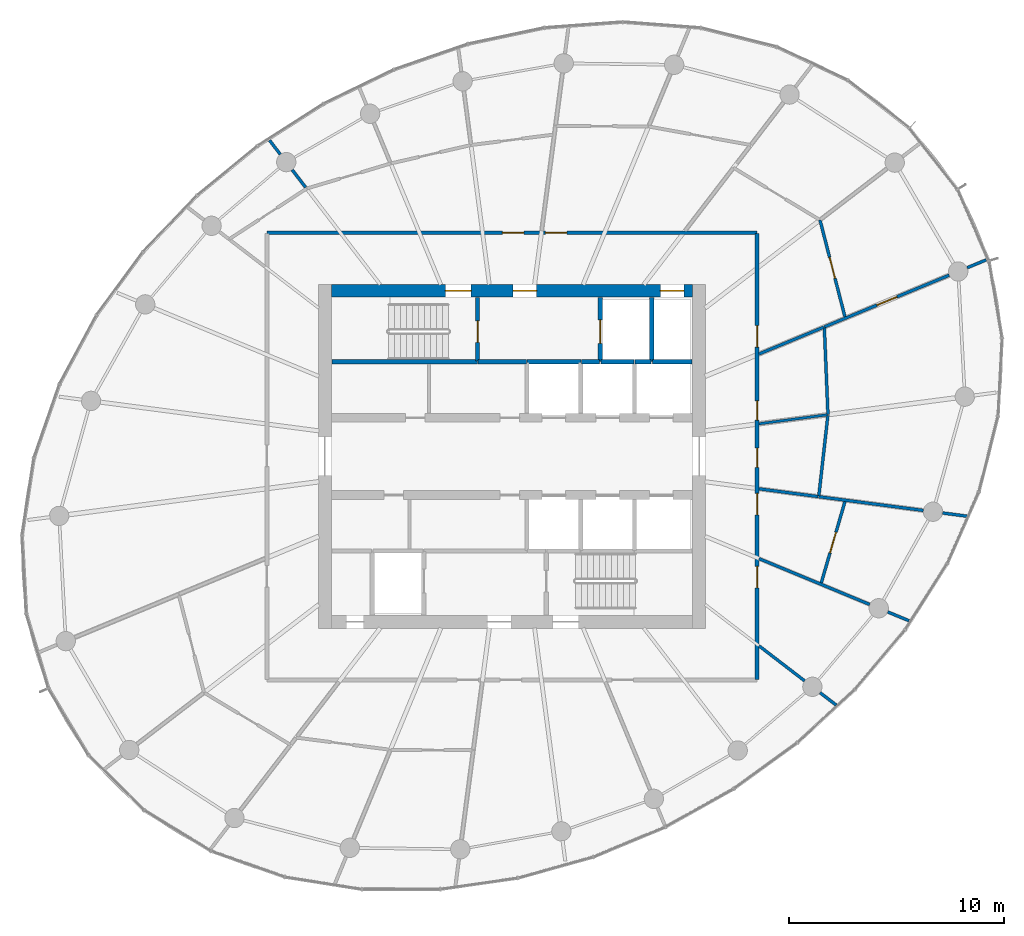
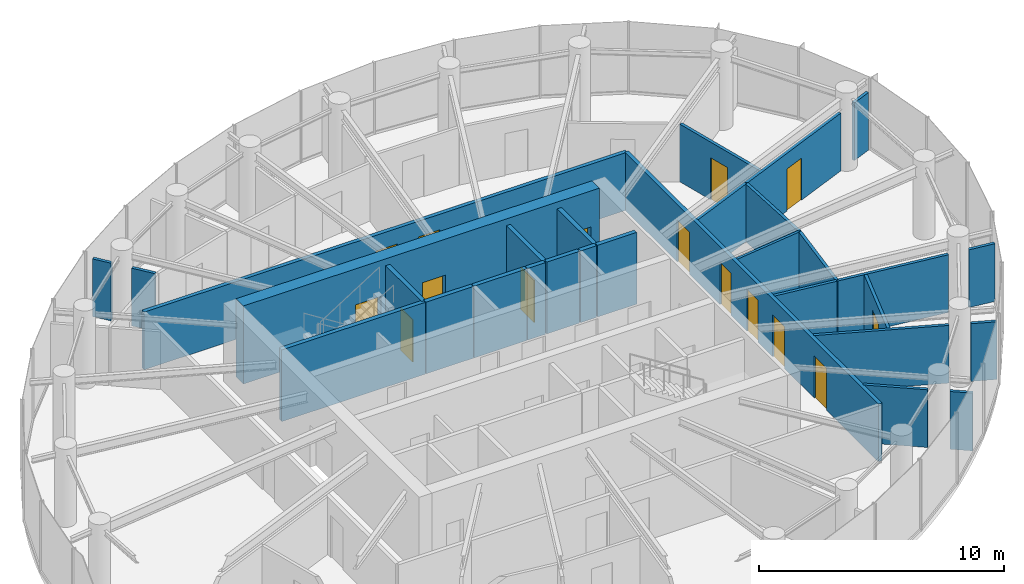
# One storey, part 11 of 14: 30 walls, 15 doors, 15 openings.
"""IFC4 building model written with IfcOpenShell, lengths in metres."""

from ifc_helpers import new_model, si_unit, direction, frame, frame_2d, origin, place, context, subcontext, project, spatial, rectangle, extrude, source, transform, mapped, material, layer, layer_set, type_object, element, fill, save


model = new_model("IFC4")

# Units and contexts
model_context = context("Model", 3, precision=1e-05, world=origin(), true_north=direction((0.0, 1.0)))
body_context = subcontext(model_context, "Body", "Model", "MODEL_VIEW")
ifc_project = project(units=[si_unit("LENGTHUNIT", "METRE"), si_unit("AREAUNIT", "SQUARE_METRE"), si_unit("VOLUMEUNIT", "CUBIC_METRE"), si_unit("PLANEANGLEUNIT", "RADIAN"), si_unit("MASSUNIT", "GRAM", prefix="KILO")], contexts=[model_context])

# Site, building, storey
site_placement = place(None, origin())
site = spatial("IfcSite", under=ifc_project, at=site_placement, CompositionType="ELEMENT")
building_placement = place(site_placement, origin())
building = spatial("IfcBuilding", under=site, at=building_placement, Name="Spindrift Exchange Tower", CompositionType="ELEMENT")
storey_placement = place(building_placement, frame((0.0, 0.0, 203.300048828125)))
storey = spatial("IfcBuildingStorey", under=building, at=storey_placement, Name="L49", CompositionType="ELEMENT", Elevation=203.300048828125)

# Wall, openings, doors
ifc_material_1 = material(Name="Concrete 50 MPa", Category="concrete")
ifc_layer_1 = layer(ifc_material_1, 0.60009765625)
ifc_layer_set_1 = layer_set([ifc_layer_1], Name="RC Core Wall 600 Concrete 50 MPa")
wall_type_1 = type_object("IfcWallType", Name="RC Core Wall 600 Concrete 50 MPa", PredefinedType="SHEAR", material=ifc_layer_set_1)
wall_1_placement = place(storey_placement, frame((60.39990234375, 55.699951171875, 0.0), z_axis=(0.0, 0.0, 1.0), x_axis=(-1.0, 0.0, 0.0)))
wall_1 = element("IfcWall", 1, at=wall_1_placement, inside=storey, type_object=wall_type_1, Name="Core wall N L49", PredefinedType="SHEAR", context=body_context, shape_type="SweptSolid", body=[
    extrude(rectangle(XDim=16.7998046875, YDim=0.60009765625, at=frame_2d((8.39990234375, 0.0))), origin(), (0.0, 0.0, 1.0), 3.89990234375),
])
opening_1_placement = place(wall_1_placement, frame((0.39990234375, 0.0, 0.0)))
opening_1 = element("IfcOpeningElement", 2, at=opening_1_placement, cuts=wall_1, Name="Opening L49-D11", PredefinedType="OPENING", context=body_context, shape_type="SweptSolid", body=[
    extrude(rectangle(XDim=1.10009765625, YDim=2.10009765625, at=frame_2d((0.550048828125, 1.050048828125))), frame((0.0, 0.31005859375, 0.0), z_axis=(0.0, -1.0, 0.0), x_axis=(1.0, 0.0, 0.0)), (0.0, 0.0, 1.0), 0.6201171875),
])
opening_2_placement = place(wall_1_placement, frame((10.300048828125, 0.0, 0.0)))
opening_2 = element("IfcOpeningElement", 3, at=opening_2_placement, cuts=wall_1, Name="Opening L49-D12", PredefinedType="OPENING", context=body_context, shape_type="SweptSolid", body=[
    extrude(rectangle(XDim=1.199951171875, YDim=2.10009765625, at=frame_2d((0.60009765625, 1.050048828125))), frame((0.0, 0.31005859375, 0.0), z_axis=(0.0, -1.0, 0.0), x_axis=(1.0, 0.0, 0.0)), (0.0, 0.0, 1.0), 0.6201171875),
])
opening_3_placement = place(wall_1_placement, frame((7.25, 0.0, 0.0)))
opening_3 = element("IfcOpeningElement", 4, at=opening_3_placement, cuts=wall_1, Name="Opening L49-D14", PredefinedType="OPENING", context=body_context, shape_type="SweptSolid", body=[
    extrude(rectangle(XDim=1.10009765625, YDim=2.10009765625, at=frame_2d((0.550048828125, 1.050048828125))), frame((0.0, 0.31005859375, 0.0), z_axis=(0.0, -1.0, 0.0), x_axis=(1.0, 0.0, 0.0)), (0.0, 0.0, 1.0), 0.6201171875),
])
ifc_material_2 = material(Name="Stainless steel landing door", Category="steel")
door_type_1 = type_object("IfcDoorType", Name="DR-LANDING-1100-SL", OperationType="DOUBLE_DOOR_SLIDING", PredefinedType="USERDEFINED", material=ifc_material_2)
shared_shape_1 = source(origin(), body_context, "Body", "SweptSolid", [
    extrude(rectangle(XDim=1.10009765625, YDim=2.10009765625, at=frame_2d((0.550048828125, 1.050048828125))), frame((0.0, 0.02490234375, 0.0), z_axis=(0.0, -1.0, 0.0), x_axis=(1.0, 0.0, 0.0)), (0.0, 0.0, 1.0), 0.050048828125),
])
door_1_placement = place(opening_1_placement, origin())
door_1 = element("IfcDoor", 5, at=door_1_placement, inside=storey, type_object=door_type_1, Name="L49 Lift landing door 11", ObjectType="LANDING DOOR", OperationType="DOUBLE_DOOR_SLIDING", OverallHeight=2.10009765625, OverallWidth=1.10009765625, PredefinedType="USERDEFINED", context=body_context, shape_type="MappedRepresentation", body=[
    mapped(shared_shape_1, transform((0.0, 0.0, 0.0), scale=1.0)),
])
fill(opening_1, door_1)
ifc_material_3 = material(Name="Steel fire door", Category="steel")
door_type_2 = type_object("IfcDoorType", Name="DR-STAIR-1200", OperationType="NOTDEFINED", PredefinedType="DOOR", material=ifc_material_3)
shared_shape_2 = source(origin(), body_context, "Body", "SweptSolid", [
    extrude(rectangle(XDim=1.199951171875, YDim=2.10009765625, at=frame_2d((0.60009765625, 1.050048828125))), frame((0.0, 0.02490234375, 0.0), z_axis=(0.0, -1.0, 0.0), x_axis=(1.0, 0.0, 0.0)), (0.0, 0.0, 1.0), 0.050048828125),
])
door_2_placement = place(opening_2_placement, origin())
door_2 = element("IfcDoor", 6, at=door_2_placement, inside=storey, type_object=door_type_2, Name="L49 Stair door 12", OperationType="SINGLE_SWING_RIGHT", OverallHeight=2.10009765625, OverallWidth=1.199951171875, PredefinedType="DOOR", context=body_context, shape_type="MappedRepresentation", body=[
    mapped(shared_shape_2, transform((0.0, 0.0, 0.0), scale=1.0)),
])
fill(opening_2, door_2)
ifc_material_4 = material(Name="Timber-core fire door", Category="wood")
door_type_3 = type_object("IfcDoorType", Name="DR-LOBBY-1100", OperationType="NOTDEFINED", PredefinedType="DOOR", material=ifc_material_4)
shared_shape_3 = source(origin(), body_context, "Body", "SweptSolid", [
    extrude(rectangle(XDim=1.10009765625, YDim=2.10009765625, at=frame_2d((0.550048828125, 1.050048828125))), frame((0.0, 0.02490234375, 0.0), z_axis=(0.0, -1.0, 0.0), x_axis=(1.0, 0.0, 0.0)), (0.0, 0.0, 1.0), 0.050048828125),
])
door_3_placement = place(opening_3_placement, origin())
door_3 = element("IfcDoor", 7, at=door_3_placement, inside=storey, type_object=door_type_3, Name="L49 Lobby door 14", OperationType="SINGLE_SWING_RIGHT", OverallHeight=2.10009765625, OverallWidth=1.10009765625, PredefinedType="DOOR", context=body_context, shape_type="MappedRepresentation", body=[
    mapped(shared_shape_3, transform((0.0, 0.0, 0.0), scale=1.0)),
])
fill(opening_3, door_3)

ifc_material_5 = material(Name="Fire-rated plasterboard partition", Category="gypsum")
ifc_layer_2 = layer(ifc_material_5, 0.179931640625)
ifc_layer_set_2 = layer_set([ifc_layer_2], Name="W-CORR-180")
wall_type_2 = type_object("IfcWallType", Name="W-CORR-180", PredefinedType="PARTITIONING", material=ifc_layer_set_2)
wall_2_placement = place(storey_placement, frame((40.60009765625, 58.39990234375, 0.0), z_axis=(0.0, 0.0, 1.0), x_axis=(1.0, 0.0, 0.0)))
wall_2 = element("IfcWall", 8, at=wall_2_placement, inside=storey, type_object=wall_type_2, Name="L49 Partition wall 27", PredefinedType="PARTITIONING", context=body_context, shape_type="SweptSolid", body=[
    extrude(rectangle(XDim=22.7998046875, YDim=0.179931640625, at=frame_2d((11.39990234375, 0.0))), origin(), (0.0, 0.0, 1.0), 2.8798828125),
])
opening_4_placement = place(wall_2_placement, frame((12.949951171875, 0.0, 0.0)))
opening_4 = element("IfcOpeningElement", 9, at=opening_4_placement, cuts=wall_2, Name="Opening L49-D25", PredefinedType="OPENING", context=body_context, shape_type="SweptSolid", body=[
    extrude(rectangle(XDim=1.0, YDim=2.10009765625, at=frame_2d((0.5, 1.050048828125))), frame((0.0, 0.099853515625, 0.0), z_axis=(0.0, -1.0, 0.0), x_axis=(1.0, 0.0, 0.0)), (0.0, 0.0, 1.0), 0.199951171875),
])
opening_5_placement = place(wall_2_placement, frame((10.949951171875, 0.0, 0.0)))
opening_5 = element("IfcOpeningElement", 10, at=opening_5_placement, cuts=wall_2, Name="Opening L49-D28", PredefinedType="OPENING", context=body_context, shape_type="SweptSolid", body=[
    extrude(rectangle(XDim=1.0, YDim=2.10009765625, at=frame_2d((0.5, 1.050048828125))), frame((0.0, 0.099853515625, 0.0), z_axis=(0.0, -1.0, 0.0), x_axis=(1.0, 0.0, 0.0)), (0.0, 0.0, 1.0), 0.199951171875),
])
door_type_4 = type_object("IfcDoorType", Name="DR-ROOM-1000", OperationType="NOTDEFINED", PredefinedType="DOOR", material=ifc_material_4)
shared_shape_4 = source(origin(), body_context, "Body", "SweptSolid", [
    extrude(rectangle(XDim=1.0, YDim=2.10009765625, at=frame_2d((0.5, 1.050048828125))), frame((0.0, 0.02490234375, 0.0), z_axis=(0.0, -1.0, 0.0), x_axis=(1.0, 0.0, 0.0)), (0.0, 0.0, 1.0), 0.050048828125),
])
door_4_placement = place(opening_4_placement, origin())
door_4 = element("IfcDoor", 11, at=door_4_placement, inside=storey, type_object=door_type_4, Name="L49 Door 25", OperationType="SINGLE_SWING_LEFT", OverallHeight=2.10009765625, OverallWidth=1.0, PredefinedType="DOOR", context=body_context, shape_type="MappedRepresentation", body=[
    mapped(shared_shape_4, transform((0.0, 0.0, 0.0), scale=1.0)),
])
fill(opening_4, door_4)
door_5_placement = place(opening_5_placement, origin())
door_5 = element("IfcDoor", 12, at=door_5_placement, inside=storey, type_object=door_type_4, Name="L49 Door 28", OperationType="SINGLE_SWING_RIGHT", OverallHeight=2.10009765625, OverallWidth=1.0, PredefinedType="DOOR", context=body_context, shape_type="MappedRepresentation", body=[
    mapped(shared_shape_4, transform((0.0, 0.0, 0.0), scale=1.0)),
])
fill(opening_5, door_5)

wall_3_placement = place(storey_placement, frame((63.39990234375, 58.3701171875, 0.0), z_axis=(0.0, 0.0, 1.0), x_axis=(0.0, -1.0, 0.0)))
wall_3 = element("IfcWall", 13, at=wall_3_placement, inside=storey, type_object=wall_type_2, Name="L49 Partition wall 29", PredefinedType="PARTITIONING", context=body_context, shape_type="SweptSolid", body=[
    extrude(rectangle(XDim=20.740234375, YDim=0.179931640625, at=frame_2d((10.3701171875, 0.0))), origin(), (0.0, 0.0, 1.0), 2.8798828125),
])
opening_6_placement = place(wall_3_placement, frame((9.989990234375, 0.0, 0.0)))
opening_6 = element("IfcOpeningElement", 14, at=opening_6_placement, cuts=wall_3, Name="Opening L49-D19", PredefinedType="OPENING", context=body_context, shape_type="SweptSolid", body=[
    extrude(rectangle(XDim=0.89990234375, YDim=2.10009765625, at=frame_2d((0.449951171875, 1.050048828125))), frame((0.0, 0.099853515625, 0.0), z_axis=(0.0, -1.0, 0.0), x_axis=(1.0, 0.0, 0.0)), (0.0, 0.0, 1.0), 0.199951171875),
])
opening_7_placement = place(wall_3_placement, frame((7.7900390625, 0.0, 0.0)))
opening_7 = element("IfcOpeningElement", 15, at=opening_7_placement, cuts=wall_3, Name="Opening L49-D20", PredefinedType="OPENING", context=body_context, shape_type="SweptSolid", body=[
    extrude(rectangle(XDim=0.89990234375, YDim=2.10009765625, at=frame_2d((0.449951171875, 1.050048828125))), frame((0.0, 0.099853515625, 0.0), z_axis=(0.0, -1.0, 0.0), x_axis=(1.0, 0.0, 0.0)), (0.0, 0.0, 1.0), 0.199951171875),
])
opening_8_placement = place(wall_3_placement, frame((4.2900390625, 0.0, 0.0)))
opening_8 = element("IfcOpeningElement", 16, at=opening_8_placement, cuts=wall_3, Name="Opening L49-D21", PredefinedType="OPENING", context=body_context, shape_type="SweptSolid", body=[
    extrude(rectangle(XDim=1.0, YDim=2.10009765625, at=frame_2d((0.5, 1.050048828125))), frame((0.0, 0.099853515625, 0.0), z_axis=(0.0, -1.0, 0.0), x_axis=(1.0, 0.0, 0.0)), (0.0, 0.0, 1.0), 0.199951171875),
])
opening_9_placement = place(wall_3_placement, frame((15.489990234375, 0.0, 0.0)))
opening_9 = element("IfcOpeningElement", 17, at=opening_9_placement, cuts=wall_3, Name="Opening L49-D42", PredefinedType="OPENING", context=body_context, shape_type="SweptSolid", body=[
    extrude(rectangle(XDim=1.0, YDim=2.10009765625, at=frame_2d((0.5, 1.050048828125))), frame((0.0, 0.099853515625, 0.0), z_axis=(0.0, -1.0, 0.0), x_axis=(1.0, 0.0, 0.0)), (0.0, 0.0, 1.0), 0.199951171875),
])
opening_10_placement = place(wall_3_placement, frame((12.090087890625, 0.0, 0.0)))
opening_10 = element("IfcOpeningElement", 18, at=opening_10_placement, cuts=wall_3, Name="Opening L49-D43", PredefinedType="OPENING", context=body_context, shape_type="SweptSolid", body=[
    extrude(rectangle(XDim=1.0, YDim=2.10009765625, at=frame_2d((0.5, 1.050048828125))), frame((0.0, 0.099853515625, 0.0), z_axis=(0.0, -1.0, 0.0), x_axis=(1.0, 0.0, 0.0)), (0.0, 0.0, 1.0), 0.199951171875),
])
door_6_placement = place(opening_8_placement, origin())
door_6 = element("IfcDoor", 19, at=door_6_placement, inside=storey, type_object=door_type_4, Name="L49 Door 21", OperationType="SINGLE_SWING_LEFT", OverallHeight=2.10009765625, OverallWidth=1.0, PredefinedType="DOOR", context=body_context, shape_type="MappedRepresentation", body=[
    mapped(shared_shape_4, transform((0.0, 0.0, 0.0), scale=1.0)),
])
fill(opening_8, door_6)
door_7_placement = place(opening_9_placement, origin())
door_7 = element("IfcDoor", 20, at=door_7_placement, inside=storey, type_object=door_type_4, Name="L49 Door 42", OperationType="SINGLE_SWING_RIGHT", OverallHeight=2.10009765625, OverallWidth=1.0, PredefinedType="DOOR", context=body_context, shape_type="MappedRepresentation", body=[
    mapped(shared_shape_4, transform((0.0, 0.0, 0.0), scale=1.0)),
])
fill(opening_9, door_7)
door_8_placement = place(opening_10_placement, origin())
door_8 = element("IfcDoor", 21, at=door_8_placement, inside=storey, type_object=door_type_4, Name="L49 Door 43", OperationType="SINGLE_SWING_LEFT", OverallHeight=2.10009765625, OverallWidth=1.0, PredefinedType="DOOR", context=body_context, shape_type="MappedRepresentation", body=[
    mapped(shared_shape_4, transform((0.0, 0.0, 0.0), scale=1.0)),
])
fill(opening_10, door_8)
ifc_material_6 = material(Name="Laminate washroom door", Category="wood")
door_type_5 = type_object("IfcDoorType", Name="DR-WC-900", OperationType="NOTDEFINED", PredefinedType="DOOR", material=ifc_material_6)
shared_shape_5 = source(origin(), body_context, "Body", "SweptSolid", [
    extrude(rectangle(XDim=0.89990234375, YDim=2.10009765625, at=frame_2d((0.449951171875, 1.050048828125))), frame((0.0, 0.02490234375, 0.0), z_axis=(0.0, -1.0, 0.0), x_axis=(1.0, 0.0, 0.0)), (0.0, 0.0, 1.0), 0.050048828125),
])
door_9_placement = place(opening_6_placement, origin())
door_9 = element("IfcDoor", 22, at=door_9_placement, inside=storey, type_object=door_type_5, Name="L49 WC door 19", OperationType="SINGLE_SWING_LEFT", OverallHeight=2.10009765625, OverallWidth=0.89990234375, PredefinedType="DOOR", context=body_context, shape_type="MappedRepresentation", body=[
    mapped(shared_shape_5, transform((0.0, 0.0, 0.0), scale=1.0)),
])
fill(opening_6, door_9)
door_10_placement = place(opening_7_placement, origin())
door_10 = element("IfcDoor", 23, at=door_10_placement, inside=storey, type_object=door_type_5, Name="L49 WC door 20", OperationType="SINGLE_SWING_RIGHT", OverallHeight=2.10009765625, OverallWidth=0.89990234375, PredefinedType="DOOR", context=body_context, shape_type="MappedRepresentation", body=[
    mapped(shared_shape_5, transform((0.0, 0.0, 0.0), scale=1.0)),
])
fill(opening_7, door_10)

# Wall, opening, door
ifc_layer_3 = layer(ifc_material_5, 0.139892578125)
ifc_layer_set_3 = layer_set([ifc_layer_3], Name="W-PART-140")
wall_type_3 = type_object("IfcWallType", Name="W-PART-140", PredefinedType="PARTITIONING", material=ifc_layer_set_3)
wall_4_placement = place(storey_placement, frame((72.332763671875, 56.422119140625, 0.0), z_axis=(0.0, 0.0, 1.0), x_axis=(-0.92388853292, -0.382661702733, 0.0)))
wall_4 = element("IfcWall", 24, at=wall_4_placement, inside=storey, type_object=wall_type_3, Name="L49 Partition wall 31", PredefinedType="PARTITIONING", context=body_context, shape_type="SweptSolid", body=[
    extrude(rectangle(XDim=6.284912109375, YDim=0.139892578125, at=frame_2d((3.142578125, 0.0))), origin(), (0.0, 0.0, 1.0), 2.8798828125),
])
opening_11_placement = place(wall_4_placement, frame((2.635009765625, 0.0, 0.0)))
opening_11 = element("IfcOpeningElement", 25, at=opening_11_placement, cuts=wall_4, Name="Opening L49-D24", PredefinedType="OPENING", context=body_context, shape_type="SweptSolid", body=[
    extrude(rectangle(XDim=1.0, YDim=2.10009765625, at=frame_2d((0.5, 1.050048828125))), frame((0.0, 0.079833984375, 0.0), z_axis=(0.0, -1.0, 0.0), x_axis=(1.0, 0.0, 0.0)), (0.0, 0.0, 1.0), 0.159912109375),
])
door_11_placement = place(opening_11_placement, origin())
door_11 = element("IfcDoor", 26, at=door_11_placement, inside=storey, type_object=door_type_4, Name="L49 Door 24", OperationType="SINGLE_SWING_RIGHT", OverallHeight=2.10009765625, OverallWidth=1.0, PredefinedType="DOOR", context=body_context, shape_type="MappedRepresentation", body=[
    mapped(shared_shape_4, transform((0.0, 0.0, 0.0), scale=1.0)),
])
fill(opening_11, door_11)

# Walls
wall_5_placement = place(storey_placement, frame((68.638916015625, 41.10791015625, 0.0), z_axis=(0.0, 0.0, 1.0), x_axis=(-0.9238758778, 0.382692255499, 0.0)))
element("IfcWall", 27, at=wall_5_placement, inside=storey, type_object=wall_type_3, Name="L49 Partition wall 32", PredefinedType="PARTITIONING", context=body_context, shape_type="SweptSolid", body=[
    extrude(rectangle(XDim=5.5732421875, YDim=0.139892578125, at=frame_2d((2.78662109375, 0.0))), origin(), (0.0, 0.0, 1.0), 2.8798828125),
])
wall_6_placement = place(storey_placement, frame((66.26708984375, 46.12158203125, 0.0), z_axis=(0.0, 0.0, 1.0), x_axis=(0.991448195842, -0.130500861923, 0.0)))
element("IfcWall", 28, at=wall_6_placement, inside=storey, type_object=wall_type_3, Name="L49 Partition wall 36", PredefinedType="PARTITIONING", context=body_context, shape_type="SweptSolid", body=[
    extrude(rectangle(XDim=4.9052734375, YDim=0.139892578125, at=frame_2d((2.45263671875, 0.0))), origin(), (0.0, 0.0, 1.0), 2.8798828125),
])

# Wall, opening, door
wall_7_placement = place(storey_placement, frame((66.32421875, 58.991455078125, 0.0), z_axis=(0.0, 0.0, 1.0), x_axis=(0.249819251726, -0.968292487561, 0.0)))
wall_7 = element("IfcWall", 29, at=wall_7_placement, inside=storey, type_object=wall_type_3, Name="L49 Partition wall 39", PredefinedType="PARTITIONING", context=body_context, shape_type="SweptSolid", body=[
    extrude(rectangle(XDim=4.64892578125, YDim=0.139892578125, at=frame_2d((2.324462890625, 0.0))), origin(), (0.0, 0.0, 1.0), 2.8798828125),
])
opening_12_placement = place(wall_7_placement, frame((1.798583984375, 0.0, 0.0)))
opening_12 = element("IfcOpeningElement", 30, at=opening_12_placement, cuts=wall_7, Name="Opening L49-D22", PredefinedType="OPENING", context=body_context, shape_type="SweptSolid", body=[
    extrude(rectangle(XDim=1.0, YDim=2.10009765625, at=frame_2d((0.5, 1.050048828125))), frame((0.0, 0.079833984375, 0.0), z_axis=(0.0, -1.0, 0.0), x_axis=(1.0, 0.0, 0.0)), (0.0, 0.0, 1.0), 0.159912109375),
])
door_12_placement = place(opening_12_placement, origin())
door_12 = element("IfcDoor", 31, at=door_12_placement, inside=storey, type_object=door_type_4, Name="L49 Door 22", OperationType="SINGLE_SWING_RIGHT", OverallHeight=2.10009765625, OverallWidth=1.0, PredefinedType="DOOR", context=body_context, shape_type="MappedRepresentation", body=[
    mapped(shared_shape_4, transform((0.0, 0.0, 0.0), scale=1.0)),
])
fill(opening_12, door_12)

# Wall
wall_8_placement = place(storey_placement, frame((66.696044921875, 49.934814453125, 0.0), z_axis=(0.0, 0.0, 1.0), x_axis=(-0.041535399008, 0.999137032959, 0.0)))
element("IfcWall", 32, at=wall_8_placement, inside=storey, type_object=wall_type_3, Name="L49 Partition wall 48", PredefinedType="PARTITIONING", context=body_context, shape_type="SweptSolid", body=[
    extrude(rectangle(XDim=4.0556640625, YDim=0.139892578125, at=frame_2d((2.02783203125, 0.0))), origin(), (0.0, 0.0, 1.0), 2.8798828125),
])

# Wall, opening, door
wall_9_placement = place(storey_placement, frame((67.484375, 45.890869140625, 0.0), z_axis=(0.0, 0.0, 1.0), x_axis=(-0.279262901939, -0.960214679955, 0.0)))
wall_9 = element("IfcWall", 33, at=wall_9_placement, inside=storey, type_object=wall_type_3, Name="L49 Partition wall 50", PredefinedType="PARTITIONING", context=body_context, shape_type="SweptSolid", body=[
    extrude(rectangle(XDim=3.9306640625, YDim=0.139892578125, at=frame_2d((1.96533203125, 0.0))), origin(), (0.0, 0.0, 1.0), 2.8798828125),
])
opening_13_placement = place(wall_9_placement, frame((1.480712890625, 0.0, 0.0)))
opening_13 = element("IfcOpeningElement", 34, at=opening_13_placement, cuts=wall_9, Name="Opening L49-D44", PredefinedType="OPENING", context=body_context, shape_type="SweptSolid", body=[
    extrude(rectangle(XDim=1.0, YDim=2.10009765625, at=frame_2d((0.5, 1.050048828125))), frame((0.0, 0.079833984375, 0.0), z_axis=(0.0, -1.0, 0.0), x_axis=(1.0, 0.0, 0.0)), (0.0, 0.0, 1.0), 0.159912109375),
])
door_13_placement = place(opening_13_placement, origin())
door_13 = element("IfcDoor", 35, at=door_13_placement, inside=storey, type_object=door_type_4, Name="L49 Door 44", OperationType="SINGLE_SWING_RIGHT", OverallHeight=2.10009765625, OverallWidth=1.0, PredefinedType="DOOR", context=body_context, shape_type="MappedRepresentation", body=[
    mapped(shared_shape_4, transform((0.0, 0.0, 0.0), scale=1.0)),
])
fill(opening_13, door_13)

# Walls
wall_10_placement = place(storey_placement, frame((66.2705078125, 46.151611328125, 0.0), z_axis=(0.0, 0.0, 1.0), x_axis=(0.111758070994, 0.993735444456, 0.0)))
element("IfcWall", 36, at=wall_10_placement, inside=storey, type_object=wall_type_3, Name="L49 Partition wall 55", PredefinedType="PARTITIONING", context=body_context, shape_type="SweptSolid", body=[
    extrude(rectangle(XDim=3.777099609375, YDim=0.139892578125, at=frame_2d((1.888671875, 0.0))), origin(), (0.0, 0.0, 1.0), 2.8798828125),
])
wall_11_placement = place(storey_placement, frame((63.489990234375, 52.75927734375, 0.0), z_axis=(0.0, 0.0, 1.0), x_axis=(0.923862401464, 0.382724787753, 0.0)))
element("IfcWall", 37, at=wall_11_placement, inside=storey, type_object=wall_type_3, Name="L49 Partition wall 63", PredefinedType="PARTITIONING", context=body_context, shape_type="SweptSolid", body=[
    extrude(rectangle(XDim=3.256591796875, YDim=0.139892578125, at=frame_2d((1.62841796875, 0.0))), origin(), (0.0, 0.0, 1.0), 2.8798828125),
])
wall_12_placement = place(storey_placement, frame((63.489990234375, 46.4873046875, 0.0), z_axis=(0.0, 0.0, 1.0), x_axis=(0.991438994906, -0.13057074473, 0.0)))
element("IfcWall", 38, at=wall_12_placement, inside=storey, type_object=wall_type_3, Name="L49 Partition wall 65", PredefinedType="PARTITIONING", context=body_context, shape_type="SweptSolid", body=[
    extrude(rectangle(XDim=2.77099609375, YDim=0.139892578125, at=frame_2d((1.385498046875, 0.0))), origin(), (0.0, 0.0, 1.0), 2.8798828125),
])
wall_13_placement = place(storey_placement, frame((63.489990234375, 39.183349609375, 0.0), z_axis=(0.0, 0.0, 1.0), x_axis=(0.793363703091, -0.608747923707, 0.0)))
element("IfcWall", 39, at=wall_13_placement, inside=storey, type_object=wall_type_3, Name="L49 Partition wall 67", PredefinedType="PARTITIONING", context=body_context, shape_type="SweptSolid", body=[
    extrude(rectangle(XDim=2.672607421875, YDim=0.139892578125, at=frame_2d((1.33642578125, 0.0))), origin(), (0.0, 0.0, 1.0), 2.8798828125),
])
wall_14_placement = place(storey_placement, frame((72.031494140625, 45.36279296875, 0.0), z_axis=(0.0, 0.0, 1.0), x_axis=(0.99143621724, -0.130591834141, 0.0)))
element("IfcWall", 40, at=wall_14_placement, inside=storey, type_object=wall_type_3, Name="L49 Partition wall 81", PredefinedType="PARTITIONING", context=body_context, shape_type="SweptSolid", body=[
    extrude(rectangle(XDim=1.149658203125, YDim=0.139892578125, at=frame_2d((0.57470703125, 0.0))), origin(), (0.0, 0.0, 1.0), 2.8798828125),
])
wall_15_placement = place(storey_placement, frame((42.4033203125, 60.506591796875, 0.0), z_axis=(0.0, 0.0, 1.0), x_axis=(-0.608700642645, 0.793399979609, 0.0)))
element("IfcWall", 41, at=wall_15_placement, inside=storey, type_object=wall_type_3, Name="L49 Partition wall 82", PredefinedType="PARTITIONING", context=body_context, shape_type="SweptSolid", body=[
    extrude(rectangle(XDim=1.0283203125, YDim=0.139892578125, at=frame_2d((0.51416015625, 0.0))), origin(), (0.0, 0.0, 1.0), 2.8798828125),
])
wall_16_placement = place(storey_placement, frame((70.46435546875, 40.351806640625, 0.0), z_axis=(0.0, 0.0, 1.0), x_axis=(-0.923921911664, 0.382581104012, 0.0)))
element("IfcWall", 42, at=wall_16_placement, inside=storey, type_object=wall_type_3, Name="L49 Partition wall 83", PredefinedType="PARTITIONING", context=body_context, shape_type="SweptSolid", body=[
    extrude(rectangle(XDim=1.065673828125, YDim=0.139892578125, at=frame_2d((0.53271484375, 0.0))), origin(), (0.0, 0.0, 1.0), 2.8798828125),
])
wall_17_placement = place(storey_placement, frame((73.173583984375, 56.770263671875, 0.0), z_axis=(0.0, 0.0, 1.0), x_axis=(0.923779659408, 0.38292445843, 0.0)))
element("IfcWall", 43, at=wall_17_placement, inside=storey, type_object=wall_type_3, Name="L49 Partition wall 88", PredefinedType="PARTITIONING", context=body_context, shape_type="SweptSolid", body=[
    extrude(rectangle(XDim=0.953857421875, YDim=0.139892578125, at=frame_2d((0.47705078125, 0.0))), origin(), (0.0, 0.0, 1.0), 2.8798828125),
])
wall_18_placement = place(storey_placement, frame((66.33154296875, 37.0029296875, 0.0), z_axis=(0.0, 0.0, 1.0), x_axis=(0.793344167197, -0.608773383431, 0.0)))
element("IfcWall", 44, at=wall_18_placement, inside=storey, type_object=wall_type_3, Name="L49 Partition wall 90", PredefinedType="PARTITIONING", context=body_context, shape_type="SweptSolid", body=[
    extrude(rectangle(XDim=0.9443359375, YDim=0.139892578125, at=frame_2d((0.47216796875, 0.0))), origin(), (0.0, 0.0, 1.0), 2.8798828125),
])
wall_19_placement = place(storey_placement, frame((41.22412109375, 62.043701171875, 0.0), z_axis=(0.0, 0.0, 1.0), x_axis=(-0.608936045201, 0.793219322038, 0.0)))
element("IfcWall", 45, at=wall_19_placement, inside=storey, type_object=wall_type_3, Name="L49 Partition wall 93", PredefinedType="PARTITIONING", context=body_context, shape_type="SweptSolid", body=[
    extrude(rectangle(XDim=0.82275390625, YDim=0.139892578125, at=frame_2d((0.411376953125, 0.0))), origin(), (0.0, 0.0, 1.0), 2.8798828125),
])

# Wall, opening, door
ifc_material_7 = material(Name="Concrete 40 MPa", Category="concrete")
ifc_layer_4 = layer(ifc_material_7, 0.199951171875)
ifc_layer_set_4 = layer_set([ifc_layer_4], Name="W-SHAFT-200")
wall_type_4 = type_object("IfcWallType", Name="W-SHAFT-200", PredefinedType="SOLIDWALL", material=ifc_layer_set_4)
wall_20_placement = place(storey_placement, frame((56.10009765625, 55.3798828125, 0.0), z_axis=(0.0, 0.0, 1.0), x_axis=(0.0, -1.0, 0.0)))
wall_20 = element("IfcWall", 46, at=wall_20_placement, inside=storey, type_object=wall_type_4, Name="L49 Shaft wall 7", PredefinedType="SOLIDWALL", context=body_context, shape_type="SweptSolid", body=[
    extrude(rectangle(XDim=2.97998046875, YDim=0.199951171875, at=frame_2d((1.489990234375, 0.0))), origin(), (0.0, 0.0, 1.0), 3.579833984375),
])
opening_14_placement = place(wall_20_placement, frame((1.030029296875, 0.0, 0.0)))
opening_14 = element("IfcOpeningElement", 47, at=opening_14_placement, cuts=wall_20, Name="Opening L49-D9", PredefinedType="OPENING", context=body_context, shape_type="SweptSolid", body=[
    extrude(rectangle(XDim=1.10009765625, YDim=2.10009765625, at=frame_2d((0.550048828125, 1.050048828125))), frame((0.0, 0.10986328125, 0.0), z_axis=(0.0, -1.0, 0.0), x_axis=(1.0, 0.0, 0.0)), (0.0, 0.0, 1.0), 0.219970703125),
])
door_14_placement = place(opening_14_placement, origin())
door_14 = element("IfcDoor", 48, at=door_14_placement, inside=storey, type_object=door_type_1, Name="L49 Lift landing door 9", ObjectType="LANDING DOOR", OperationType="DOUBLE_DOOR_SLIDING", OverallHeight=2.10009765625, OverallWidth=1.10009765625, PredefinedType="USERDEFINED", context=body_context, shape_type="MappedRepresentation", body=[
    mapped(shared_shape_1, transform((0.0, 0.0, 0.0), scale=1.0)),
])
fill(opening_14, door_14)

# Walls
wall_21_placement = place(storey_placement, frame((58.5, 52.39990234375, 0.0), z_axis=(0.0, 0.0, 1.0), x_axis=(0.0, 1.0, 0.0)))
element("IfcWall", 49, at=wall_21_placement, inside=storey, type_object=wall_type_4, Name="L49 Shaft wall 8", PredefinedType="SOLIDWALL", context=body_context, shape_type="SweptSolid", body=[
    extrude(rectangle(XDim=2.97998046875, YDim=0.199951171875, at=frame_2d((1.489990234375, 0.0))), origin(), (0.0, 0.0, 1.0), 3.579833984375),
])
wall_22_placement = place(storey_placement, frame((55.199951171875, 52.39990234375, 0.0), z_axis=(0.0, 0.0, 1.0), x_axis=(-1.0, 0.0, 0.0)))
element("IfcWall", 50, at=wall_22_placement, inside=storey, type_object=wall_type_4, Name="L49 Shaft wall 10", PredefinedType="SOLIDWALL", context=body_context, shape_type="SweptSolid", body=[
    extrude(rectangle(XDim=2.5, YDim=0.199951171875, at=frame_2d((1.25, 0.0))), origin(), (0.0, 0.0, 1.0), 3.579833984375),
])
wall_23_placement = place(storey_placement, frame((60.3798828125, 52.39990234375, 0.0), z_axis=(0.0, 0.0, 1.0), x_axis=(-1.0, 0.0, 0.0)))
element("IfcWall", 51, at=wall_23_placement, inside=storey, type_object=wall_type_4, Name="L49 Shaft wall 21", PredefinedType="SOLIDWALL", context=body_context, shape_type="SweptSolid", body=[
    extrude(rectangle(XDim=1.849853515625, YDim=0.199951171875, at=frame_2d((0.9248046875, 0.0))), origin(), (0.0, 0.0, 1.0), 3.579833984375),
])
wall_24_placement = place(storey_placement, frame((57.669921875, 52.39990234375, 0.0), z_axis=(0.0, 0.0, 1.0), x_axis=(-1.0, 0.0, 0.0)))
element("IfcWall", 52, at=wall_24_placement, inside=storey, type_object=wall_type_4, Name="L49 Shaft wall 23", PredefinedType="SOLIDWALL", context=body_context, shape_type="SweptSolid", body=[
    extrude(rectangle(XDim=1.5400390625, YDim=0.199951171875, at=frame_2d((0.77001953125, 0.0))), origin(), (0.0, 0.0, 1.0), 3.579833984375),
])
wall_25_placement = place(storey_placement, frame((56.070068359375, 52.39990234375, 0.0), z_axis=(0.0, 0.0, 1.0), x_axis=(-1.0, 0.0, 0.0)))
element("IfcWall", 53, at=wall_25_placement, inside=storey, type_object=wall_type_4, Name="L49 Shaft wall 25", PredefinedType="SOLIDWALL", context=body_context, shape_type="SweptSolid", body=[
    extrude(rectangle(XDim=0.840087890625, YDim=0.199951171875, at=frame_2d((0.419921875, 0.0))), origin(), (0.0, 0.0, 1.0), 3.579833984375),
])
wall_26_placement = place(storey_placement, frame((58.469970703125, 52.39990234375, 0.0), z_axis=(0.0, 0.0, 1.0), x_axis=(-1.0, 0.0, 0.0)))
element("IfcWall", 54, at=wall_26_placement, inside=storey, type_object=wall_type_4, Name="L49 Shaft wall 26", PredefinedType="SOLIDWALL", context=body_context, shape_type="SweptSolid", body=[
    extrude(rectangle(XDim=0.739990234375, YDim=0.199951171875, at=frame_2d((0.3701171875, 0.0))), origin(), (0.0, 0.0, 1.0), 3.579833984375),
])
ifc_layer_5 = layer(ifc_material_7, 0.199951171875)
ifc_layer_set_5 = layer_set([ifc_layer_5], Name="W-SHAFT-200-LB")
wall_type_5 = type_object("IfcWallType", Name="W-SHAFT-200-LB", PredefinedType="SOLIDWALL", material=ifc_layer_set_5)
wall_27_placement = place(storey_placement, frame((43.6201171875, 52.39990234375, 0.0), z_axis=(0.0, 0.0, 1.0), x_axis=(1.0, 0.0, 0.0)))
element("IfcWall", 55, at=wall_27_placement, inside=storey, type_object=wall_type_5, Name="L49 Shaft wall 1", PredefinedType="SOLIDWALL", context=body_context, shape_type="SweptSolid", body=[
    extrude(rectangle(XDim=6.77978515625, YDim=0.199951171875, at=frame_2d((3.389892578125, 0.0))), origin(), (0.0, 0.0, 1.0), 3.579833984375),
])

# Wall, opening, door
wall_28_placement = place(storey_placement, frame((50.39990234375, 52.429931640625, 0.0), z_axis=(0.0, 0.0, 1.0), x_axis=(0.0, 1.0, 0.0)))
wall_28 = element("IfcWall", 56, at=wall_28_placement, inside=storey, type_object=wall_type_5, Name="L49 Shaft wall 5", PredefinedType="SOLIDWALL", context=body_context, shape_type="SweptSolid", body=[
    extrude(rectangle(XDim=2.949951171875, YDim=0.199951171875, at=frame_2d((1.47509765625, 0.0))), origin(), (0.0, 0.0, 1.0), 3.579833984375),
])
opening_15_placement = place(wall_28_placement, frame((0.8701171875, 0.0, 0.0)))
opening_15 = element("IfcOpeningElement", 57, at=opening_15_placement, cuts=wall_28, Name="Opening L49-D13", PredefinedType="OPENING", context=body_context, shape_type="SweptSolid", body=[
    extrude(rectangle(XDim=1.0, YDim=2.10009765625, at=frame_2d((0.5, 1.050048828125))), frame((0.0, 0.10986328125, 0.0), z_axis=(0.0, -1.0, 0.0), x_axis=(1.0, 0.0, 0.0)), (0.0, 0.0, 1.0), 0.219970703125),
])
door_type_6 = type_object("IfcDoorType", Name="DR-STAIR-1000", OperationType="NOTDEFINED", PredefinedType="DOOR", material=ifc_material_3)
shared_shape_6 = source(origin(), body_context, "Body", "SweptSolid", [
    extrude(rectangle(XDim=1.0, YDim=2.10009765625, at=frame_2d((0.5, 1.050048828125))), frame((0.0, 0.02490234375, 0.0), z_axis=(0.0, -1.0, 0.0), x_axis=(1.0, 0.0, 0.0)), (0.0, 0.0, 1.0), 0.050048828125),
])
door_15_placement = place(opening_15_placement, origin())
door_15 = element("IfcDoor", 58, at=door_15_placement, inside=storey, type_object=door_type_6, Name="L49 Stair door 13", OperationType="SINGLE_SWING_LEFT", OverallHeight=2.10009765625, OverallWidth=1.0, PredefinedType="DOOR", context=body_context, shape_type="MappedRepresentation", body=[
    mapped(shared_shape_6, transform((0.0, 0.0, 0.0), scale=1.0)),
])
fill(opening_15, door_15)

# Walls
wall_29_placement = place(storey_placement, frame((50.429931640625, 52.39990234375, 0.0), z_axis=(0.0, 0.0, 1.0), x_axis=(1.0, 0.0, 0.0)))
element("IfcWall", 59, at=wall_29_placement, inside=storey, type_object=wall_type_5, Name="L49 Shaft wall 19", PredefinedType="SOLIDWALL", context=body_context, shape_type="SweptSolid", body=[
    extrude(rectangle(XDim=2.239990234375, YDim=0.199951171875, at=frame_2d((1.1201171875, 0.0))), origin(), (0.0, 0.0, 1.0), 3.579833984375),
])
ifc_layer_6 = layer(ifc_material_5, 0.1201171875)
ifc_layer_set_6 = layer_set([ifc_layer_6], Name="W-WET-120")
wall_type_6 = type_object("IfcWallType", Name="W-WET-120", PredefinedType="PARTITIONING", material=ifc_layer_set_6)
wall_30_placement = place(storey_placement, frame((63.489990234375, 49.5126953125, 0.0), z_axis=(0.0, 0.0, 1.0), x_axis=(0.991442878973, 0.130541249168, 0.0)))
element("IfcWall", 60, at=wall_30_placement, inside=storey, type_object=wall_type_6, Name="L49 Partition wall 94", PredefinedType="PARTITIONING", context=body_context, shape_type="SweptSolid", body=[
    extrude(rectangle(XDim=3.20361328125, YDim=0.1201171875, at=frame_2d((1.601806640625, 0.0))), origin(), (0.0, 0.0, 1.0), 2.8798828125),
])

save(model, "model.ifc")
